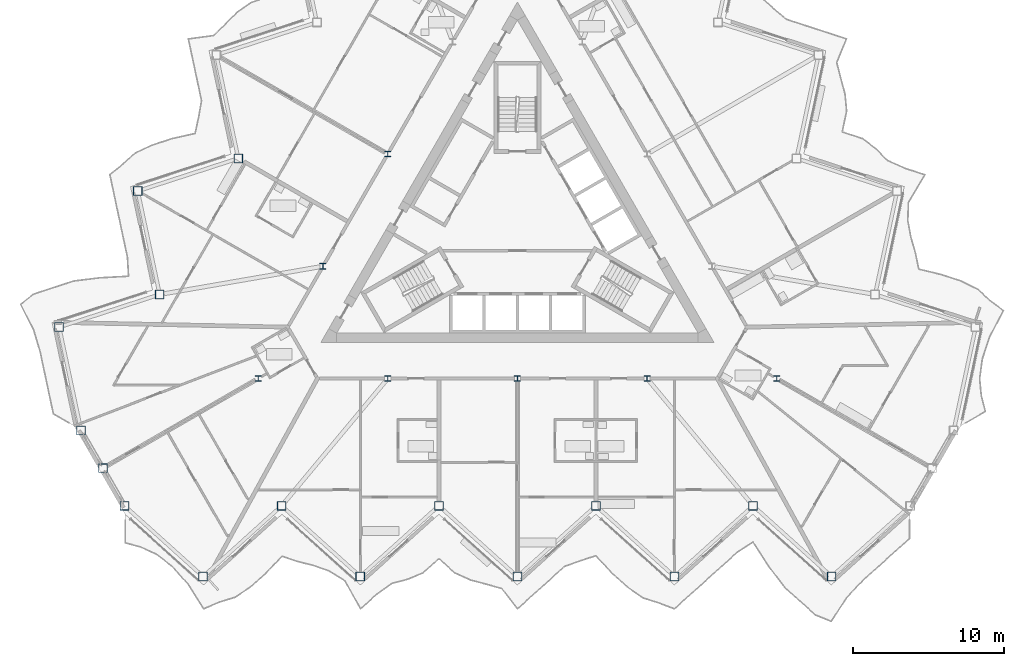
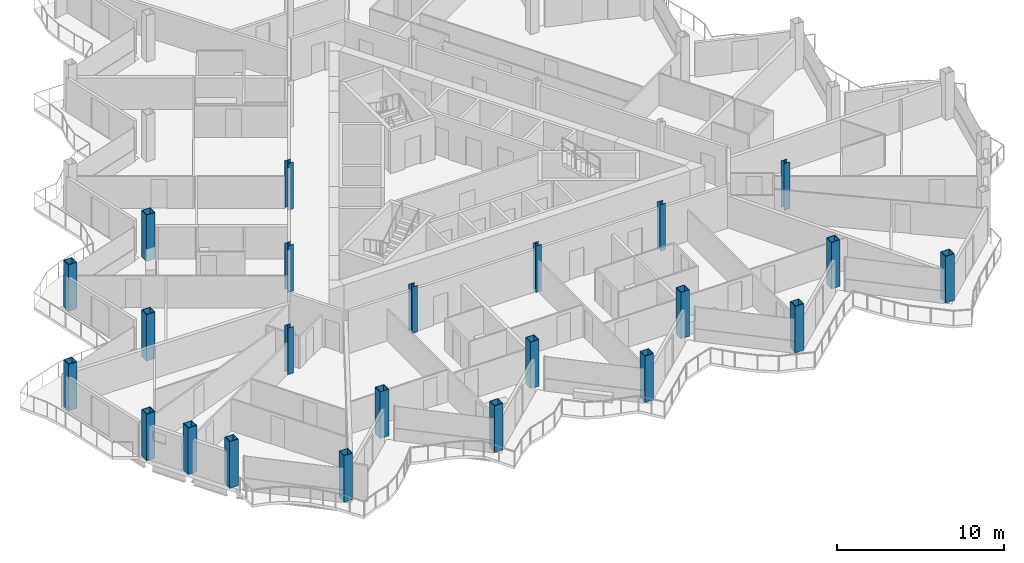
# One storey, part 1 of 27: 23 columns.
"""IFC4 building model written with IfcOpenShell, lengths in metres."""

from ifc_helpers import new_model, si_unit, direction, frame, origin, origin_2d, place, context, subcontext, project, spatial, hollow_rectangle, i_section, extrude, material, material_profile, profile_set, type_object, element, save


model = new_model("IFC4")

# Units and contexts
model_context = context("Model", 3, precision=1e-05, world=origin(), true_north=direction((0.0, 1.0)))
body_context = subcontext(model_context, "Body", "Model", "MODEL_VIEW")
ifc_project = project(units=[si_unit("LENGTHUNIT", "METRE"), si_unit("AREAUNIT", "SQUARE_METRE"), si_unit("VOLUMEUNIT", "CUBIC_METRE"), si_unit("PLANEANGLEUNIT", "RADIAN"), si_unit("MASSUNIT", "GRAM", prefix="KILO")], contexts=[model_context])

# Site, building, storey
site_placement = place(None, origin())
site = spatial("IfcSite", under=ifc_project, at=site_placement, CompositionType="ELEMENT")
building_placement = place(site_placement, origin())
building = spatial("IfcBuilding", under=site, at=building_placement, Name="Cormorant Prow Tower", CompositionType="ELEMENT")
storey_placement = place(building_placement, frame((0.0, 0.0, 315.39990234375)))
storey = spatial("IfcBuildingStorey", under=building, at=storey_placement, Name="L69", CompositionType="ELEMENT", Elevation=315.39990234375)

# Columns
ifc_material_1 = material(Name="Structural steel ASTM A572 Gr 50", Category="steel")
ifc_material_profile_1 = material_profile(ifc_material_1, hollow_rectangle(XDim=0.60009765625, YDim=0.60009765625, WallThickness=0.0400390625, at=origin_2d()), Name="Box 600x600x40")
ifc_profile_set_1 = profile_set([ifc_material_profile_1], Name="Structural steel ASTM A572 Gr 50")
column_type_1 = type_object("IfcColumnType", Name="Perimeter box column 600x600x40", PredefinedType="COLUMN", material=ifc_profile_set_1)
for number, where, z_axis, x_axis, name in (
    (1, (-25.995361328125, -18.326904296875, 0.0), (0.0, 0.0, 1.0), (1.0, 0.0, 0.0), "Perimeter column C6 at S00 L69"),
    (2, (-20.79638671875, -23.008056640625, 0.0), (0.0, 0.0, 1.0), (1.0, 0.0, 0.0), "Perimeter column C6 at S01 L69"),
    (3, (-15.59716796875, -18.326904296875, 0.0), (0.0, 0.0, 1.0), (1.0, 0.0, 0.0), "Perimeter column C6 at S02 L69"),
    (4, (-10.398193359375, -23.008056640625, 0.0), (0.0, 0.0, 1.0), (1.0, 0.0, 0.0), "Perimeter column C6 at S03 L69"),
    (5, (-5.198974609375, -18.326904296875, 0.0), (0.0, 0.0, 1.0), (1.0, 0.0, 0.0), "Perimeter column C6 at S04 L69"),
    (6, (0.0, -23.008056640625, 0.0), (0.0, 0.0, 1.0), (1.0, 0.0, 0.0), "Perimeter column C6 at S05 L69"),
    (7, (5.198974609375, -18.326904296875, 0.0), (0.0, 0.0, 1.0), (1.0, 0.0, 0.0), "Perimeter column C6 at S06 L69"),
    (8, (10.398193359375, -23.008056640625, 0.0), (0.0, 0.0, 1.0), (1.0, 0.0, 0.0), "Perimeter column C6 at S07 L69"),
    (9, (15.59716796875, -18.326904296875, 0.0), (0.0, 0.0, 1.0), (1.0, 0.0, 0.0), "Perimeter column C6 at S08 L69"),
    (10, (20.79638671875, -23.008056640625, 0.0), (0.0, 0.0, 1.0), (1.0, 0.0, 0.0), "Perimeter column C6 at S09 L69"),
    (11, (-18.470947265625, 4.660888671875, 0.0), (0.0, 0.0, 1.0), (1.0, 0.0, 0.0), "Perimeter column C6 at WNW06 L69"),
    (12, (-25.124755859375, 2.4990234375, 0.0), (0.0, 0.0, 1.0), (1.0, 0.0, 0.0), "Perimeter column C6 at WNW07 L69"),
    (13, (-23.670166015625, -4.34423828125, 0.0), (0.0, 0.0, 1.0), (1.0, 0.0, 0.0), "Perimeter column C6 at WNW08 L69"),
    (14, (-30.32373046875, -6.506103515625, 0.0), (0.0, 0.0, 1.0), (1.0, 0.0, 0.0), "Perimeter column C6 at WNW09 L69"),
    (15, (-28.869140625, -13.349365234375, 0.0), (0.0, 0.0, 1.0), (1.0, 0.0, 0.0), "Perimeter column C6 at WSW00 L69"),
    (16, (-27.432373046875, -15.838134765625, 0.0), (0.0, 0.0, 1.0), (1.0, 0.0, 0.0), "Perimeter column C6 at WSW01 L69"),
):
    element("IfcColumn", number, at=place(storey_placement, frame(where, z_axis=z_axis, x_axis=x_axis)), inside=storey, type_object=column_type_1, Name=name, PredefinedType="COLUMN", context=body_context, shape_type="SweptSolid", body=[
        extrude(hollow_rectangle(XDim=0.60009765625, YDim=0.60009765625, WallThickness=0.0400390625, at=origin_2d()), origin(), (0.0, 0.0, 1.0), 3.400146484375),
    ])
ifc_material_2 = material(Name="Structural steel ASTM A992 Gr 50", Category="steel")
ifc_material_profile_2 = material_profile(ifc_material_2, i_section(OverallWidth=0.3955078125, OverallDepth=0.380615234375, WebThickness=0.018798828125, FlangeThickness=0.0302734375, at=origin_2d()), Name="W14x159")
ifc_profile_set_2 = profile_set([ifc_material_profile_2], Name="Structural steel ASTM A992 Gr 50")
column_type_2 = type_object("IfcColumnType", Name="Ring column W14x159", PredefinedType="COLUMN", material=ifc_profile_set_2)
for number, where, z_axis, x_axis, name in (
    (17, (-8.578369140625, 4.952880859375, 0.0), (0.0, 0.0, 1.0), (1.0, 0.0, 0.0), "Ring column 3 L69"),
    (18, (-12.86767578125, -2.476318359375, 0.0), (0.0, 0.0, 1.0), (1.0, 0.0, 0.0), "Ring column 4 L69"),
    (19, (-17.156982421875, -9.905517578125, 0.0), (0.0, 0.0, 1.0), (1.0, 0.0, 0.0), "Ring column 5 L69"),
    (20, (-8.578369140625, -9.905517578125, 0.0), (0.0, 0.0, 1.0), (1.0, 0.0, 0.0), "Ring column 6 L69"),
    (21, (0.0, -9.905517578125, 0.0), (0.0, 0.0, 1.0), (1.0, 0.0, 0.0), "Ring column 7 L69"),
    (22, (8.578369140625, -9.905517578125, 0.0), (0.0, 0.0, 1.0), (1.0, 0.0, 0.0), "Ring column 8 L69"),
    (23, (17.156982421875, -9.905517578125, 0.0), (0.0, 0.0, 1.0), (1.0, 0.0, 0.0), "Ring column 9 L69"),
):
    element("IfcColumn", number, at=place(storey_placement, frame(where, z_axis=z_axis, x_axis=x_axis)), inside=storey, type_object=column_type_2, Name=name, PredefinedType="COLUMN", context=body_context, shape_type="SweptSolid", body=[
        extrude(i_section(OverallWidth=0.3955078125, OverallDepth=0.380615234375, WebThickness=0.018798828125, FlangeThickness=0.0302734375, at=origin_2d()), origin(), (0.0, 0.0, 1.0), 3.400146484375),
    ])

save(model, "model.ifc")
